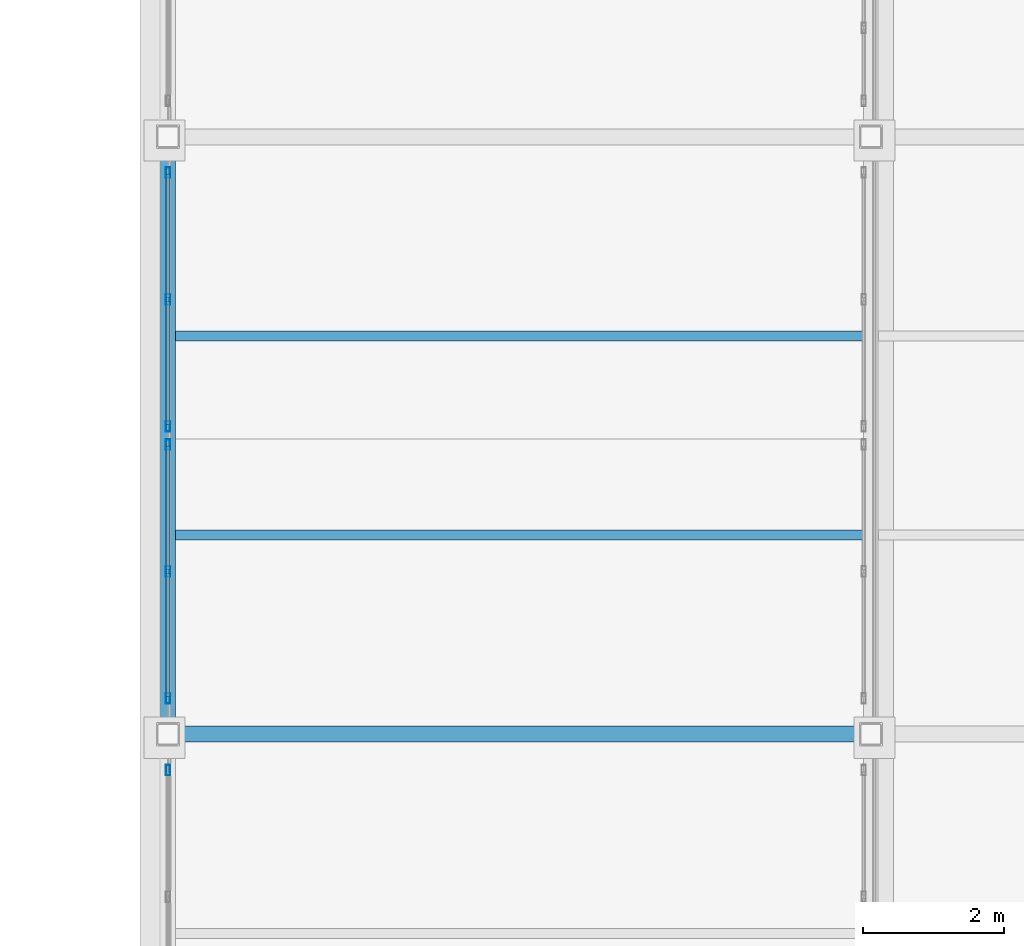
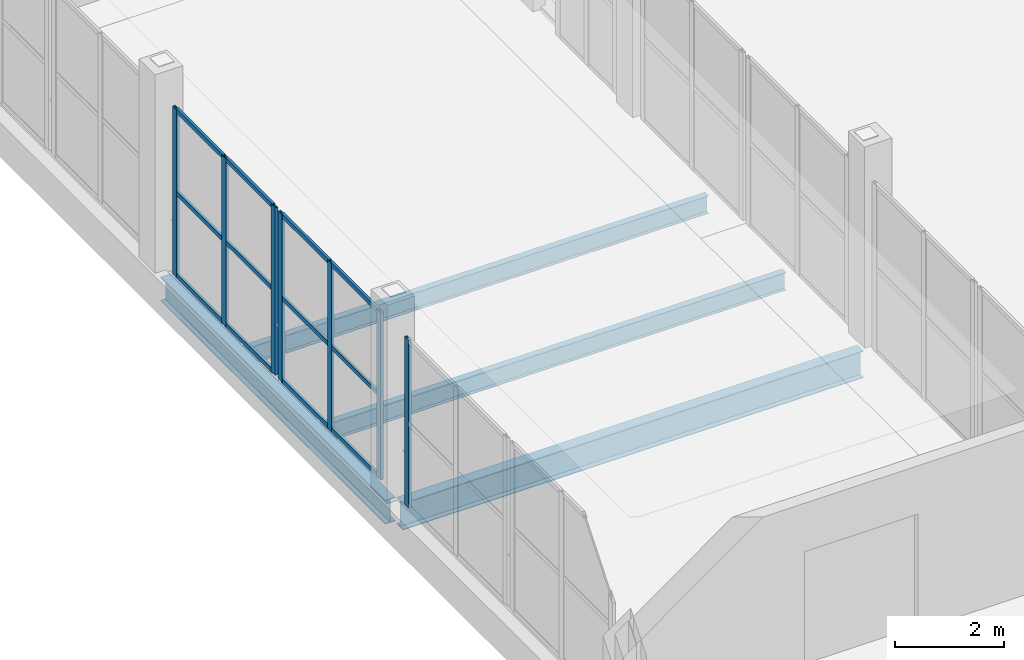
# One storey, part 65 of 156: 19 members, 4 beams, 3 elements without a shape of their own.
"""IFC4 building model written with IfcOpenShell, lengths in metres."""

from ifc_helpers import new_model, si_unit, direction, frame, origin, origin_2d, place, context, subcontext, project, spatial, hollow_rectangle, i_section, extrude, material, material_profile, profile_set, type_object, element, aggregate, save


model = new_model("IFC4")

# Units and contexts
model_context = context("Model", 3, precision=1e-05, world=origin(), true_north=direction((0.0, 1.0)))
body_context = subcontext(model_context, "Body", "Model", "MODEL_VIEW")
ifc_project = project(units=[si_unit("LENGTHUNIT", "METRE"), si_unit("AREAUNIT", "SQUARE_METRE"), si_unit("VOLUMEUNIT", "CUBIC_METRE"), si_unit("PLANEANGLEUNIT", "RADIAN"), si_unit("MASSUNIT", "GRAM", prefix="KILO")], contexts=[model_context])

# Site, building, storey
site_placement = place(None, origin())
site = spatial("IfcSite", under=ifc_project, at=site_placement, CompositionType="ELEMENT")
building_placement = place(site_placement, origin())
building = spatial("IfcBuilding", under=site, at=building_placement, Name="Caurita Quay Ferry Terminal", CompositionType="ELEMENT")
storey_placement = place(building_placement, frame((0.0, 0.0, 5.39990234375)))
storey = spatial("IfcBuildingStorey", under=building, at=storey_placement, Name="L01", CompositionType="ELEMENT", Elevation=5.39990234375)

# Beams
ifc_material_1 = material(Name="Structural steel ASTM A992 Gr. 50", Category="steel")
ifc_material_profile_1 = material_profile(ifc_material_1, i_section(OverallWidth=0.210693359375, OverallDepth=0.53857421875, WebThickness=0.01171875, FlangeThickness=0.018798828125, FilletRadius=0.013916015625, at=origin_2d()), Name="W21X73")
ifc_profile_set_1 = profile_set([ifc_material_profile_1], Name="Structural steel ASTM A992 Gr. 50")
beam_type_1 = type_object("IfcBeamType", Name="BM-GR-W21A", PredefinedType="BEAM", material=ifc_profile_set_1)
beam_1_placement = place(storey_placement, frame((132.800048828125, 17.12939453125, -0.504150390625), z_axis=(0.0, 1.0, 0.0), x_axis=(-1.0, 0.0, 0.0)))
element("IfcBeam", 1, at=beam_1_placement, inside=storey, type_object=beam_type_1, Name="L01 Beam BM-V3P-L01-Y-1328-171", PredefinedType="BEAM", context=body_context, shape_type="SweptSolid", body=[
    extrude(i_section(OverallWidth=0.210693359375, OverallDepth=0.53857421875, WebThickness=0.01171875, FlangeThickness=0.018798828125, FilletRadius=0.013916015625, at=origin_2d()), origin(), (0.0, 0.0, 1.0), 8.2412109375),
])
ifc_material_profile_2 = material_profile(ifc_material_1, i_section(OverallWidth=0.22802734375, OverallDepth=0.60205078125, WebThickness=0.010498046875, FlangeThickness=0.014892578125, at=origin_2d()), Name="W24X68")
ifc_profile_set_2 = profile_set([ifc_material_profile_2], Name="Structural steel ASTM A992 Gr. 50")
beam_type_2 = type_object("IfcBeamType", Name="BM-GR-W24C", PredefinedType="BEAM", material=ifc_profile_set_2)
beam_2_placement = place(storey_placement, frame((132.929443359375, 17.0, -0.535888671875), z_axis=(1.0, 0.0, 0.0), x_axis=(0.0, 1.0, 0.0)))
element("IfcBeam", 2, at=beam_2_placement, inside=storey, type_object=beam_type_2, Name="L01 Beam BM-V3P-L01-X-1329-170", PredefinedType="BEAM", context=body_context, shape_type="SweptSolid", body=[
    extrude(i_section(OverallWidth=0.22802734375, OverallDepth=0.60205078125, WebThickness=0.010498046875, FlangeThickness=0.014892578125, at=origin_2d()), origin(), (0.0, 0.0, 1.0), 9.740966796875),
])
ifc_material_profile_3 = material_profile(ifc_material_1, i_section(OverallWidth=0.139892578125, OverallDepth=0.39892578125, WebThickness=0.00634765625, FlangeThickness=0.0087890625, at=origin_2d()), Name="W16X26")
ifc_profile_set_3 = profile_set([ifc_material_profile_3], Name="Structural steel ASTM A992 Gr. 50")
beam_type_3 = type_object("IfcBeamType", Name="BM-JS-W16C", PredefinedType="JOIST", material=ifc_profile_set_3)
for number, where, z_axis, x_axis, name in (
    (3, (132.905517578125, 19.833251953125, -0.434326171875), (1.0, 0.0, 0.0), (0.0, 1.0, 0.0), "L01 Beam JS-V3P-L01-005"),
    (4, (132.905517578125, 22.666748046875, -0.434326171875), (1.0, 0.0, 0.0), (0.0, 1.0, 0.0), "L01 Beam JS-V3P-L01-006"),
):
    element("IfcBeam", number, at=place(storey_placement, frame(where, z_axis=z_axis, x_axis=x_axis)), inside=storey, type_object=beam_type_3, Name=name, PredefinedType="JOIST", context=body_context, shape_type="SweptSolid", body=[
        extrude(i_section(OverallWidth=0.139892578125, OverallDepth=0.39892578125, WebThickness=0.00634765625, FlangeThickness=0.0087890625, at=origin_2d()), origin(), (0.0, 0.0, 1.0), 9.7890625),
    ])

# Curtain wall, member
ifc_material_2 = material(Name="Laminated solar-control insulated glass", Category="glass")
curtain_wall_type = type_object("IfcCurtainWallType", Name="CW-SYS-15", PredefinedType="NOTDEFINED", material=ifc_material_2)
curtain_wall_1_placement = place(storey_placement, origin())
curtain_wall_1 = element("IfcCurtainWall", 5, at=curtain_wall_1_placement, inside=storey, type_object=curtain_wall_type, Name="Boarding Gangway Ribbon Curtain Wall 114", PredefinedType="NOTDEFINED")
ifc_material_3 = material(Name="Anodized aluminium 6063-T6", Category="aluminium")
ifc_material_profile_4 = material_profile(ifc_material_3, hollow_rectangle(XDim=0.06005859375, YDim=0.14990234375, WallThickness=0.00341796875, at=origin_2d()), Name="ALU-MUL-60X150")
ifc_profile_set_4 = profile_set([ifc_material_profile_4], Name="Anodized aluminium 6063-T6")
member_type_1 = type_object("IfcMemberType", Name="CW-MUL-150", PredefinedType="MULLION", material=ifc_profile_set_4)
member_1_placement = place(storey_placement, frame((132.800048828125, 16.489990234375, 0.0), z_axis=(0.0, 0.0, 1.0), x_axis=(-1.0, 0.0, 0.0)))
member_1 = element("IfcMember", 6, at=member_1_placement, type_object=member_type_1, Name="CW-BGW-114 Mullion 3", PredefinedType="MULLION", context=body_context, shape_type="SweptSolid", body=[
    extrude(hollow_rectangle(XDim=0.06005859375, YDim=0.14990234375, WallThickness=0.00341796875, at=origin_2d()), origin(), (0.0, 0.0, 1.0), 3.75),
])
aggregate(curtain_wall_1, [member_1])

# Curtain wall, members
curtain_wall_2_placement = place(storey_placement, origin())
curtain_wall_2 = element("IfcCurtainWall", 7, at=curtain_wall_2_placement, inside=storey, type_object=curtain_wall_type, Name="Boarding Gangway Ribbon Curtain Wall 115", PredefinedType="NOTDEFINED")
member_2_placement = place(storey_placement, frame((132.800048828125, 17.510009765625, 0.0), z_axis=(0.0, 0.0, 1.0), x_axis=(-1.0, 0.0, 0.0)))
member_2 = element("IfcMember", 8, at=member_2_placement, type_object=member_type_1, Name="CW-BGW-115 Mullion 1", PredefinedType="MULLION", context=body_context, shape_type="SweptSolid", body=[
    extrude(hollow_rectangle(XDim=0.06005859375, YDim=0.14990234375, WallThickness=0.00341796875, at=origin_2d()), origin(), (0.0, 0.0, 1.0), 3.75),
])
member_3_placement = place(storey_placement, frame((132.800048828125, 19.31494140625, 0.0), z_axis=(0.0, 0.0, 1.0), x_axis=(-1.0, 0.0, 0.0)))
member_3 = element("IfcMember", 9, at=member_3_placement, type_object=member_type_1, Name="CW-BGW-115 Mullion 2", PredefinedType="MULLION", context=body_context, shape_type="SweptSolid", body=[
    extrude(hollow_rectangle(XDim=0.06005859375, YDim=0.14990234375, WallThickness=0.00341796875, at=origin_2d()), origin(), (0.0, 0.0, 1.0), 3.75),
])
member_4_placement = place(storey_placement, frame((132.800048828125, 21.1201171875, 0.0), z_axis=(0.0, 0.0, 1.0), x_axis=(-1.0, 0.0, 0.0)))
member_4 = element("IfcMember", 10, at=member_4_placement, type_object=member_type_1, Name="CW-BGW-115 Mullion 3", PredefinedType="MULLION", context=body_context, shape_type="SweptSolid", body=[
    extrude(hollow_rectangle(XDim=0.06005859375, YDim=0.14990234375, WallThickness=0.00341796875, at=origin_2d()), origin(), (0.0, 0.0, 1.0), 3.75),
])

curtain_wall_3_placement = place(storey_placement, origin())
curtain_wall_3 = element("IfcCurtainWall", 11, at=curtain_wall_3_placement, inside=storey, type_object=curtain_wall_type, Name="Boarding Gangway Ribbon Curtain Wall 116", PredefinedType="NOTDEFINED")
member_5_placement = place(storey_placement, frame((132.800048828125, 21.3798828125, 0.0), z_axis=(0.0, 0.0, 1.0), x_axis=(-1.0, 0.0, 0.0)))
member_5 = element("IfcMember", 12, at=member_5_placement, type_object=member_type_1, Name="CW-BGW-116 Mullion 1", PredefinedType="MULLION", context=body_context, shape_type="SweptSolid", body=[
    extrude(hollow_rectangle(XDim=0.06005859375, YDim=0.14990234375, WallThickness=0.00341796875, at=origin_2d()), origin(), (0.0, 0.0, 1.0), 3.75),
])
member_6_placement = place(storey_placement, frame((132.800048828125, 23.18505859375, 0.0), z_axis=(0.0, 0.0, 1.0), x_axis=(-1.0, 0.0, 0.0)))
member_6 = element("IfcMember", 13, at=member_6_placement, type_object=member_type_1, Name="CW-BGW-116 Mullion 2", PredefinedType="MULLION", context=body_context, shape_type="SweptSolid", body=[
    extrude(hollow_rectangle(XDim=0.06005859375, YDim=0.14990234375, WallThickness=0.00341796875, at=origin_2d()), origin(), (0.0, 0.0, 1.0), 3.75),
])
member_7_placement = place(storey_placement, frame((132.800048828125, 24.989990234375, 0.0), z_axis=(0.0, 0.0, 1.0), x_axis=(-1.0, 0.0, 0.0)))
member_7 = element("IfcMember", 14, at=member_7_placement, type_object=member_type_1, Name="CW-BGW-116 Mullion 3", PredefinedType="MULLION", context=body_context, shape_type="SweptSolid", body=[
    extrude(hollow_rectangle(XDim=0.06005859375, YDim=0.14990234375, WallThickness=0.00341796875, at=origin_2d()), origin(), (0.0, 0.0, 1.0), 3.75),
])

# Member
ifc_material_profile_5 = material_profile(ifc_material_3, hollow_rectangle(XDim=0.054931640625, YDim=0.10009765625, WallThickness=0.00341796875, at=origin_2d()), Name="ALU-TRN-55X100")
ifc_profile_set_5 = profile_set([ifc_material_profile_5], Name="Anodized aluminium 6063-T6")
member_type_2 = type_object("IfcMemberType", Name="CW-TRN-100", PredefinedType="USERDEFINED", material=ifc_profile_set_5)
member_8_placement = place(storey_placement, frame((132.800048828125, 17.5380859375, 0.027587890625), z_axis=(0.0, 1.0, 0.0), x_axis=(-1.0, 0.0, 0.0)))
member_8 = element("IfcMember", 15, at=member_8_placement, type_object=member_type_2, Name="CW-BGW-115 Transom 1", ObjectType="TRANSOM", PredefinedType="USERDEFINED", context=body_context, shape_type="SweptSolid", body=[
    extrude(hollow_rectangle(XDim=0.054931640625, YDim=0.10009765625, WallThickness=0.00341796875, at=origin_2d()), origin(), (0.0, 0.0, 1.0), 1.7490234375),
])

member_9_placement = place(storey_placement, frame((132.800048828125, 17.5380859375, 1.875), z_axis=(0.0, 1.0, 0.0), x_axis=(-1.0, 0.0, 0.0)))
member_9 = element("IfcMember", 16, at=member_9_placement, type_object=member_type_2, Name="CW-BGW-115 Transom 2", ObjectType="TRANSOM", PredefinedType="USERDEFINED", context=body_context, shape_type="SweptSolid", body=[
    extrude(hollow_rectangle(XDim=0.054931640625, YDim=0.10009765625, WallThickness=0.00341796875, at=origin_2d()), origin(), (0.0, 0.0, 1.0), 1.7490234375),
])

member_10_placement = place(storey_placement, frame((132.800048828125, 17.5380859375, 3.72265625), z_axis=(0.0, 1.0, 0.0), x_axis=(-1.0, 0.0, 0.0)))
member_10 = element("IfcMember", 17, at=member_10_placement, type_object=member_type_2, Name="CW-BGW-115 Transom 3", ObjectType="TRANSOM", PredefinedType="USERDEFINED", context=body_context, shape_type="SweptSolid", body=[
    extrude(hollow_rectangle(XDim=0.054931640625, YDim=0.10009765625, WallThickness=0.00341796875, at=origin_2d()), origin(), (0.0, 0.0, 1.0), 1.7490234375),
])

member_11_placement = place(storey_placement, frame((132.800048828125, 19.343017578125, 0.027587890625), z_axis=(0.0, 1.0, 0.0), x_axis=(-1.0, 0.0, 0.0)))
member_11 = element("IfcMember", 18, at=member_11_placement, type_object=member_type_2, Name="CW-BGW-115 Transom 4", ObjectType="TRANSOM", PredefinedType="USERDEFINED", context=body_context, shape_type="SweptSolid", body=[
    extrude(hollow_rectangle(XDim=0.054931640625, YDim=0.10009765625, WallThickness=0.00341796875, at=origin_2d()), origin(), (0.0, 0.0, 1.0), 1.7490234375),
])

member_12_placement = place(storey_placement, frame((132.800048828125, 19.343017578125, 1.875), z_axis=(0.0, 1.0, 0.0), x_axis=(-1.0, 0.0, 0.0)))
member_12 = element("IfcMember", 19, at=member_12_placement, type_object=member_type_2, Name="CW-BGW-115 Transom 5", ObjectType="TRANSOM", PredefinedType="USERDEFINED", context=body_context, shape_type="SweptSolid", body=[
    extrude(hollow_rectangle(XDim=0.054931640625, YDim=0.10009765625, WallThickness=0.00341796875, at=origin_2d()), origin(), (0.0, 0.0, 1.0), 1.7490234375),
])

member_13_placement = place(storey_placement, frame((132.800048828125, 19.343017578125, 3.72265625), z_axis=(0.0, 1.0, 0.0), x_axis=(-1.0, 0.0, 0.0)))
member_13 = element("IfcMember", 20, at=member_13_placement, type_object=member_type_2, Name="CW-BGW-115 Transom 6", ObjectType="TRANSOM", PredefinedType="USERDEFINED", context=body_context, shape_type="SweptSolid", body=[
    extrude(hollow_rectangle(XDim=0.054931640625, YDim=0.10009765625, WallThickness=0.00341796875, at=origin_2d()), origin(), (0.0, 0.0, 1.0), 1.7490234375),
])

aggregate(curtain_wall_2, [member_2, member_3, member_4, member_8, member_9, member_10, member_11, member_12, member_13])

member_14_placement = place(storey_placement, frame((132.800048828125, 21.407958984375, 0.027587890625), z_axis=(0.0, 1.0, 0.0), x_axis=(-1.0, 0.0, 0.0)))
member_14 = element("IfcMember", 21, at=member_14_placement, type_object=member_type_2, Name="CW-BGW-116 Transom 1", ObjectType="TRANSOM", PredefinedType="USERDEFINED", context=body_context, shape_type="SweptSolid", body=[
    extrude(hollow_rectangle(XDim=0.054931640625, YDim=0.10009765625, WallThickness=0.00341796875, at=origin_2d()), origin(), (0.0, 0.0, 1.0), 1.7490234375),
])

member_15_placement = place(storey_placement, frame((132.800048828125, 21.407958984375, 1.875), z_axis=(0.0, 1.0, 0.0), x_axis=(-1.0, 0.0, 0.0)))
member_15 = element("IfcMember", 22, at=member_15_placement, type_object=member_type_2, Name="CW-BGW-116 Transom 2", ObjectType="TRANSOM", PredefinedType="USERDEFINED", context=body_context, shape_type="SweptSolid", body=[
    extrude(hollow_rectangle(XDim=0.054931640625, YDim=0.10009765625, WallThickness=0.00341796875, at=origin_2d()), origin(), (0.0, 0.0, 1.0), 1.7490234375),
])

member_16_placement = place(storey_placement, frame((132.800048828125, 21.407958984375, 3.72265625), z_axis=(0.0, 1.0, 0.0), x_axis=(-1.0, 0.0, 0.0)))
member_16 = element("IfcMember", 23, at=member_16_placement, type_object=member_type_2, Name="CW-BGW-116 Transom 3", ObjectType="TRANSOM", PredefinedType="USERDEFINED", context=body_context, shape_type="SweptSolid", body=[
    extrude(hollow_rectangle(XDim=0.054931640625, YDim=0.10009765625, WallThickness=0.00341796875, at=origin_2d()), origin(), (0.0, 0.0, 1.0), 1.7490234375),
])

member_17_placement = place(storey_placement, frame((132.800048828125, 23.212890625, 0.027587890625), z_axis=(0.0, 1.0, 0.0), x_axis=(-1.0, 0.0, 0.0)))
member_17 = element("IfcMember", 24, at=member_17_placement, type_object=member_type_2, Name="CW-BGW-116 Transom 4", ObjectType="TRANSOM", PredefinedType="USERDEFINED", context=body_context, shape_type="SweptSolid", body=[
    extrude(hollow_rectangle(XDim=0.054931640625, YDim=0.10009765625, WallThickness=0.00341796875, at=origin_2d()), origin(), (0.0, 0.0, 1.0), 1.7490234375),
])

member_18_placement = place(storey_placement, frame((132.800048828125, 23.212890625, 1.875), z_axis=(0.0, 1.0, 0.0), x_axis=(-1.0, 0.0, 0.0)))
member_18 = element("IfcMember", 25, at=member_18_placement, type_object=member_type_2, Name="CW-BGW-116 Transom 5", ObjectType="TRANSOM", PredefinedType="USERDEFINED", context=body_context, shape_type="SweptSolid", body=[
    extrude(hollow_rectangle(XDim=0.054931640625, YDim=0.10009765625, WallThickness=0.00341796875, at=origin_2d()), origin(), (0.0, 0.0, 1.0), 1.7490234375),
])

member_19_placement = place(storey_placement, frame((132.800048828125, 23.212890625, 3.72265625), z_axis=(0.0, 1.0, 0.0), x_axis=(-1.0, 0.0, 0.0)))
member_19 = element("IfcMember", 26, at=member_19_placement, type_object=member_type_2, Name="CW-BGW-116 Transom 6", ObjectType="TRANSOM", PredefinedType="USERDEFINED", context=body_context, shape_type="SweptSolid", body=[
    extrude(hollow_rectangle(XDim=0.054931640625, YDim=0.10009765625, WallThickness=0.00341796875, at=origin_2d()), origin(), (0.0, 0.0, 1.0), 1.7490234375),
])

aggregate(curtain_wall_3, [member_5, member_6, member_7, member_14, member_15, member_16, member_17, member_18, member_19])

save(model, "model.ifc")
